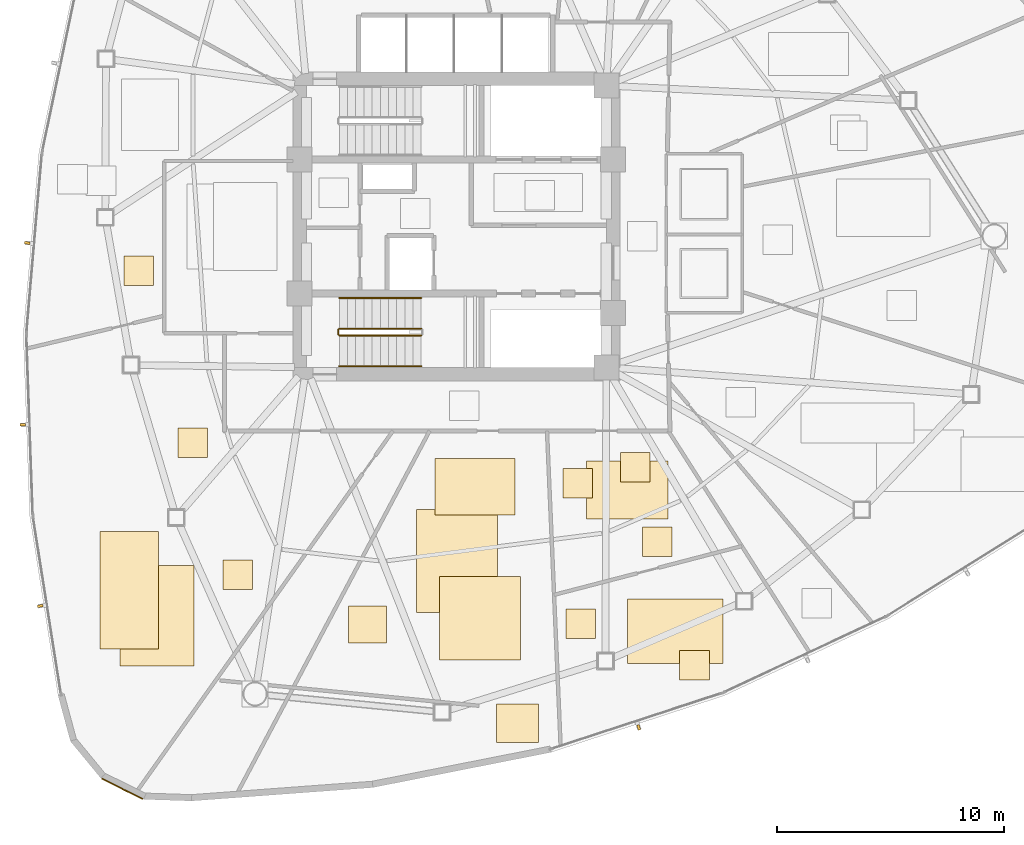
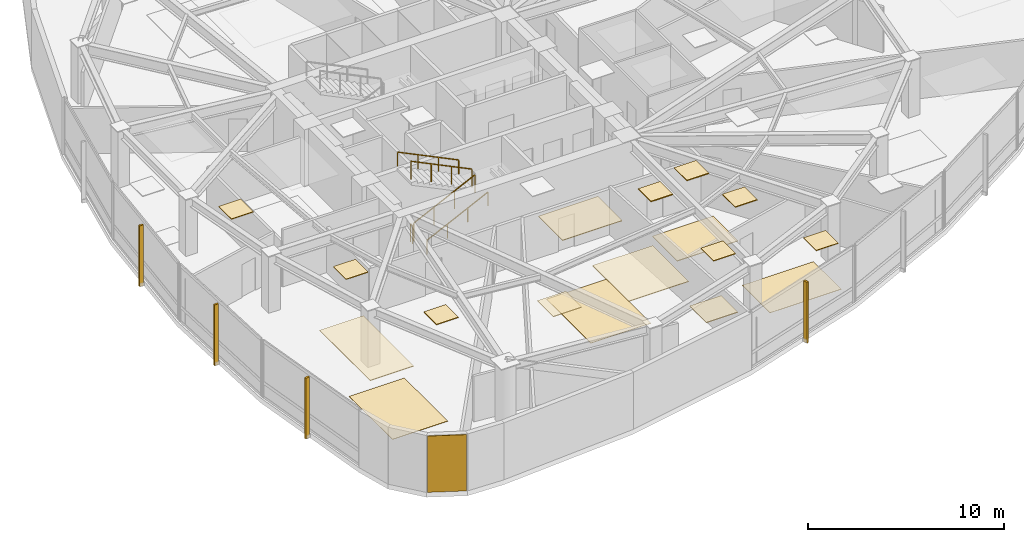
# One storey, part 14 of 17: 18 coverings, 5 railings, 4 shading devices.
"""IFC4 building model written with IfcOpenShell, lengths in metres."""

from ifc_helpers import new_model, si_unit, direction, frame, origin, origin_2d, place, context, subcontext, project, spatial, polyline, rectangle, outline, extrude, source, transform, mapped, material, layer, layer_set, type_object, type_shapes, element, save


model = new_model("IFC4")

# Units and contexts
model_context = context("Model", 3, precision=1e-05, world=origin(), true_north=direction((0.0, 1.0)))
body_context = subcontext(model_context, "Body", "Model", "MODEL_VIEW")
ifc_project = project(units=[si_unit("LENGTHUNIT", "METRE"), si_unit("AREAUNIT", "SQUARE_METRE"), si_unit("VOLUMEUNIT", "CUBIC_METRE"), si_unit("PLANEANGLEUNIT", "RADIAN"), si_unit("MASSUNIT", "GRAM", prefix="KILO")], contexts=[model_context])

# Site, building, storey
site_placement = place(None, origin())
site = spatial("IfcSite", under=ifc_project, at=site_placement, CompositionType="ELEMENT")
building_placement = place(site_placement, origin())
building = spatial("IfcBuilding", under=site, at=building_placement, Name="Tavelor Broadcast Tower", CompositionType="ELEMENT")
storey_placement = place(building_placement, frame((0.0, 0.0, 123.300048828125)))
storey = spatial("IfcBuildingStorey", under=building, at=storey_placement, Name="L28", CompositionType="ELEMENT", Elevation=123.300048828125)

# Covering
ifc_material_1 = material(Name="Copper-Bronze Anodized Aluminium", Category="aluminium")
ifc_layer_1 = layer(ifc_material_1, 0.050048828125)
ifc_layer_set_1 = layer_set([ifc_layer_1], Name="Copper-Bronze Anodized Aluminium")
covering_type_1 = type_object("IfcCoveringType", Name="Champagne-Bronze Corner Pier Metal Cladding 50 mm", PredefinedType="CLADDING", material=ifc_layer_set_1)
covering_1_placement = place(storey_placement, frame((35.293212890625, 20.247802734375, 0.02001953125), z_axis=(0.0, 0.0, 1.0), x_axis=(0.896872741533, -0.442288690219, 0.0)))
element("IfcCovering", 1, at=covering_1_placement, inside=storey, type_object=covering_type_1, Name="L28 Champagne-Bronze Corner Cladding 13", PredefinedType="CLADDING", context=body_context, shape_type="SweptSolid", body=[
    extrude(rectangle(XDim=2.002685546875, YDim=0.050048828125, at=origin_2d()), origin(), (0.0, 0.0, 1.0), 3.510009765625),
])

# Railings
ifc_material_2 = material(Name="Steel S355", Category="steel")
railing_type_1 = type_object("IfcRailingType", Name="Continuous Brushed Stainless Handrail 900 mm", PredefinedType="HANDRAIL", material=ifc_material_2)
railing_1_placement = place(storey_placement, frame((44.85009765625, 38.85009765625, 0.175048828125)))
element("IfcRailing", 2, at=railing_1_placement, inside=storey, type_object=railing_type_1, Name="L28 ST2 stair handrail 1", PredefinedType="HANDRAIL", context=body_context, shape_type="SweptSolid", body=[
    extrude(rectangle(XDim=0.048095703125, YDim=0.048095703125, at=origin_2d()), frame((0.0, 0.0, 0.8759765625), z_axis=(0.899360859046, 0.0, 0.437207096483), x_axis=(0.0, 1.0, 0.0)), (0.0, 0.0, 1.0), 4.002685546875),
    extrude(rectangle(XDim=0.0419921875, YDim=0.0419921875, at=origin_2d()), origin(), (0.0, 0.0, 1.0), 0.851806640625),
    extrude(rectangle(XDim=0.0419921875, YDim=0.0419921875, at=origin_2d()), frame((1.199951171875, 0.0, 0.583251953125)), (0.0, 0.0, 1.0), 0.851806640625),
    extrude(rectangle(XDim=0.0419921875, YDim=0.0419921875, at=origin_2d()), frame((2.39990234375, 0.0, 1.166748046875)), (0.0, 0.0, 1.0), 0.851806640625),
    extrude(rectangle(XDim=0.0419921875, YDim=0.0419921875, at=origin_2d()), frame((3.599853515625, 0.0, 1.75)), (0.0, 0.0, 1.0), 0.851806640625),
])
railing_2_placement = place(storey_placement, frame((48.449951171875, 41.85009765625, 2.099853515625)))
element("IfcRailing", 3, at=railing_2_placement, inside=storey, type_object=railing_type_1, Name="L28 ST2 stair handrail 2", PredefinedType="HANDRAIL", context=body_context, shape_type="SweptSolid", body=[
    extrude(rectangle(XDim=0.048095703125, YDim=0.048095703125, at=origin_2d()), frame((0.0, 0.0, 0.8759765625), z_axis=(-0.899360859046, 0.0, 0.437207096483), x_axis=(0.0, -1.0, 0.0)), (0.0, 0.0, 1.0), 4.002685546875),
    extrude(rectangle(XDim=0.0419921875, YDim=0.0419921875, at=origin_2d()), origin(), (0.0, 0.0, 1.0), 0.851806640625),
    extrude(rectangle(XDim=0.0419921875, YDim=0.0419921875, at=origin_2d()), frame((-1.199951171875, 0.0, 0.583251953125)), (0.0, 0.0, 1.0), 0.851806640625),
    extrude(rectangle(XDim=0.0419921875, YDim=0.0419921875, at=origin_2d()), frame((-2.39990234375, 0.0, 1.166748046875)), (0.0, 0.0, 1.0), 0.851806640625),
    extrude(rectangle(XDim=0.0419921875, YDim=0.0419921875, at=origin_2d()), frame((-3.599853515625, 0.0, 1.75)), (0.0, 0.0, 1.0), 0.851806640625),
])

# Coverings
ifc_material_3 = material(Name="Acoustic Nylon Carpet Tile")
ifc_layer_2 = layer(ifc_material_3, 0.02001953125)
ifc_layer_set_2 = layer_set([ifc_layer_2], Name="Acoustic Nylon Carpet Tile")
covering_type_2 = type_object("IfcCoveringType", Name="Heavy-Duty Acoustic Broadcast Carpet Tile 20 mm", PredefinedType="FLOORING", material=ifc_layer_set_2)
covering_2_placement = place(storey_placement, origin())
element("IfcCovering", 4, at=covering_2_placement, inside=storey, type_object=covering_type_2, Name="L28 Broadcast Floor Finish 0390", PredefinedType="FLOORING", context=body_context, shape_type="SweptSolid", body=[
    extrude(outline(polyline([(57.529052734375, 25.77001953125), (61.729736328125, 25.77001953125), (61.729736328125, 28.60595703125), (57.529052734375, 28.60595703125), (57.529052734375, 25.77001953125)])), origin(), (0.0, 0.0, 1.0), 0.02001953125),
])
covering_3_placement = place(storey_placement, origin())
element("IfcCovering", 5, at=covering_3_placement, inside=storey, type_object=covering_type_2, Name="L28 Broadcast Floor Finish 0391", PredefinedType="FLOORING", context=body_context, shape_type="SweptSolid", body=[
    extrude(outline(polyline([(48.252685546875, 28.010009765625), (51.806396484375, 28.010009765625), (51.806396484375, 32.543212890625), (48.252685546875, 32.543212890625), (48.252685546875, 28.010009765625)])), origin(), (0.0, 0.0, 1.0), 0.02001953125),
])
covering_4_placement = place(storey_placement, origin())
element("IfcCovering", 6, at=covering_4_placement, inside=storey, type_object=covering_type_2, Name="L28 Broadcast Floor Finish 0392", PredefinedType="FLOORING", context=body_context, shape_type="SweptSolid", body=[
    extrude(outline(polyline([(35.19189453125, 25.653076171875), (38.45361328125, 25.653076171875), (38.45361328125, 30.081298828125), (35.19189453125, 30.081298828125), (35.19189453125, 25.653076171875)])), origin(), (0.0, 0.0, 1.0), 0.02001953125),
])
ifc_material_4 = material(Name="Acoustic Hardwood Studio Flooring", Category="wood")
ifc_layer_3 = layer(ifc_material_4, 0.034912109375)
ifc_layer_set_3 = layer_set([ifc_layer_3], Name="Acoustic Hardwood Studio Flooring")
covering_type_3 = type_object("IfcCoveringType", Name="Isolated Studio Acoustic Elastomeric Floor Finish 35 mm", PredefinedType="FLOORING", material=ifc_layer_set_3)
covering_5_placement = place(storey_placement, origin())
element("IfcCovering", 7, at=covering_5_placement, inside=storey, type_object=covering_type_3, Name="L28 Broadcast Floor Finish 0399", PredefinedType="FLOORING", context=body_context, shape_type="SweptSolid", body=[
    extrude(outline(polyline([(55.726806640625, 32.12646484375), (59.306396484375, 32.12646484375), (59.306396484375, 34.672607421875), (55.726806640625, 34.672607421875), (55.726806640625, 32.12646484375)])), origin(), (0.0, 0.0, 1.0), 0.034912109375),
])
ifc_material_5 = material(Name="Acoustic Perforated Timber Baffle", Category="wood")
ifc_layer_4 = layer(ifc_material_5, 0.054931640625)
ifc_layer_set_4 = layer_set([ifc_layer_4], Name="Acoustic Perforated Timber Baffle")
covering_type_4 = type_object("IfcCoveringType", Name="Micro-Perforated Acoustic Baffle Studio Ceiling 55 mm", PredefinedType="CEILING", material=ifc_layer_set_4)
covering_6_placement = place(storey_placement, frame((0.0, 0.0, 3.494873046875)))
element("IfcCovering", 8, at=covering_6_placement, inside=storey, type_object=covering_type_4, Name="L28 Suspended Acoustic Ceiling 1135", PredefinedType="CEILING", context=body_context, shape_type="SweptSolid", body=[
    extrude(outline(polyline([(54.7001953125, 33.04443359375), (56.000244140625, 33.04443359375), (56.000244140625, 34.344482421875), (54.7001953125, 34.344482421875), (54.7001953125, 33.04443359375)])), origin(), (0.0, 0.0, 1.0), 0.05517578125),
])
covering_7_placement = place(storey_placement, frame((0.0, 0.0, 3.494873046875)))
element("IfcCovering", 9, at=covering_7_placement, inside=storey, type_object=covering_type_4, Name="L28 Suspended Acoustic Ceiling 1136", PredefinedType="CEILING", context=body_context, shape_type="SweptSolid", body=[
    extrude(outline(polyline([(57.224609375, 33.74560546875), (58.5244140625, 33.74560546875), (58.5244140625, 35.045654296875), (57.224609375, 35.045654296875), (57.224609375, 33.74560546875)])), origin(), (0.0, 0.0, 1.0), 0.05517578125),
])
covering_8_placement = place(storey_placement, frame((0.0, 0.0, 3.494873046875)))
element("IfcCovering", 10, at=covering_8_placement, inside=storey, type_object=covering_type_4, Name="L28 Suspended Acoustic Ceiling 1137", PredefinedType="CEILING", context=body_context, shape_type="SweptSolid", body=[
    extrude(outline(polyline([(58.18505859375, 30.469482421875), (59.485107421875, 30.469482421875), (59.485107421875, 31.76953125), (58.18505859375, 31.76953125), (58.18505859375, 30.469482421875)])), origin(), (0.0, 0.0, 1.0), 0.05517578125),
])

# Railings
railing_type_2 = type_object("IfcRailingType", Name="Stairwell Steel Safety Guardrail 1150 mm", PredefinedType="GUARDRAIL", material=ifc_material_2)
railing_3_placement = place(storey_placement, frame((44.85009765625, 40.199951171875, 0.175048828125)))
element("IfcRailing", 11, at=railing_3_placement, inside=storey, type_object=railing_type_2, Name="L28 ST2 stair guard 1", PredefinedType="GUARDRAIL", context=body_context, shape_type="SweptSolid", body=[
    extrude(rectangle(XDim=0.048095703125, YDim=0.048095703125, at=origin_2d()), frame((0.0, 0.0, 1.1259765625), z_axis=(0.899360859046, 0.0, 0.437207096483), x_axis=(0.0, 1.0, 0.0)), (0.0, 0.0, 1.0), 4.002685546875),
    extrude(rectangle(XDim=0.0419921875, YDim=0.0419921875, at=origin_2d()), origin(), (0.0, 0.0, 1.0), 1.101806640625),
    extrude(rectangle(XDim=0.0419921875, YDim=0.0419921875, at=origin_2d()), frame((1.199951171875, 0.0, 0.583251953125)), (0.0, 0.0, 1.0), 1.101806640625),
    extrude(rectangle(XDim=0.0419921875, YDim=0.0419921875, at=origin_2d()), frame((2.39990234375, 0.0, 1.166748046875)), (0.0, 0.0, 1.0), 1.101806640625),
    extrude(rectangle(XDim=0.0419921875, YDim=0.0419921875, at=origin_2d()), frame((3.599853515625, 0.0, 1.75)), (0.0, 0.0, 1.0), 1.101806640625),
])
railing_4_placement = place(storey_placement, frame((48.449951171875, 40.5, 2.099853515625)))
element("IfcRailing", 12, at=railing_4_placement, inside=storey, type_object=railing_type_2, Name="L28 ST2 stair guard 3", PredefinedType="GUARDRAIL", context=body_context, shape_type="SweptSolid", body=[
    extrude(rectangle(XDim=0.048095703125, YDim=0.048095703125, at=origin_2d()), frame((0.0, 0.0, 1.1259765625), z_axis=(-0.899360859046, 0.0, 0.437207096483), x_axis=(0.0, -1.0, 0.0)), (0.0, 0.0, 1.0), 4.002685546875),
    extrude(rectangle(XDim=0.0419921875, YDim=0.0419921875, at=origin_2d()), origin(), (0.0, 0.0, 1.0), 1.101806640625),
    extrude(rectangle(XDim=0.0419921875, YDim=0.0419921875, at=origin_2d()), frame((-1.199951171875, 0.0, 0.583251953125)), (0.0, 0.0, 1.0), 1.101806640625),
    extrude(rectangle(XDim=0.0419921875, YDim=0.0419921875, at=origin_2d()), frame((-2.39990234375, 0.0, 1.166748046875)), (0.0, 0.0, 1.0), 1.101806640625),
    extrude(rectangle(XDim=0.0419921875, YDim=0.0419921875, at=origin_2d()), frame((-3.599853515625, 0.0, 1.75)), (0.0, 0.0, 1.0), 1.101806640625),
])
railing_5_placement = place(storey_placement, frame((44.800048828125, 40.25, 0.0)))
element("IfcRailing", 13, at=railing_5_placement, inside=storey, type_object=railing_type_2, Name="L28 ST2 stair guard 4", PredefinedType="GUARDRAIL", context=body_context, shape_type="SweptSolid", body=[
    extrude(rectangle(XDim=0.048095703125, YDim=0.048095703125, at=origin_2d()), frame((0.0, 0.0, 1.1259765625), z_axis=(0.0, 1.0, 0.0), x_axis=(-1.0, 0.0, 0.0)), (0.0, 0.0, 1.0), 0.199951171875),
    extrude(rectangle(XDim=0.0419921875, YDim=0.0419921875, at=origin_2d()), origin(), (0.0, 0.0, 1.0), 1.101806640625),
    extrude(rectangle(XDim=0.0419921875, YDim=0.0419921875, at=origin_2d()), frame((0.0, 0.199951171875, 0.0)), (0.0, 0.0, 1.0), 1.101806640625),
])

# Coverings
ifc_material_6 = material(Name="Acoustic Mineral Fibre Tile")
ifc_layer_5 = layer(ifc_material_6, 0.0400390625)
ifc_layer_set_5 = layer_set([ifc_layer_5], Name="Acoustic Mineral Fibre Tile")
covering_type_5 = type_object("IfcCoveringType", Name="Suspended Acoustic Mineral-Fibre Office Ceiling 40 mm", PredefinedType="CEILING", material=ifc_layer_set_5)
covering_9_placement = place(storey_placement, frame((0.0, 0.0, 3.510009765625)))
element("IfcCovering", 14, at=covering_9_placement, inside=storey, type_object=covering_type_5, Name="L28 Suspended Acoustic Ceiling 1107", PredefinedType="CEILING", context=body_context, shape_type="SweptSolid", body=[
    extrude(outline(polyline([(59.83154296875, 25.038330078125), (61.131591796875, 25.038330078125), (61.131591796875, 26.33837890625), (59.83154296875, 26.33837890625), (59.83154296875, 25.038330078125)])), origin(), (0.0, 0.0, 1.0), 0.0400390625),
])
covering_10_placement = place(storey_placement, frame((0.0, 0.0, 3.510009765625)))
element("IfcCovering", 15, at=covering_10_placement, inside=storey, type_object=covering_type_5, Name="L28 Suspended Acoustic Ceiling 1108", PredefinedType="CEILING", context=body_context, shape_type="SweptSolid", body=[
    extrude(outline(polyline([(54.824462890625, 26.8642578125), (56.12451171875, 26.8642578125), (56.12451171875, 28.164306640625), (54.824462890625, 28.164306640625), (54.824462890625, 26.8642578125)])), origin(), (0.0, 0.0, 1.0), 0.0400390625),
])
covering_11_placement = place(storey_placement, frame((0.0, 0.0, 3.510009765625)))
element("IfcCovering", 16, at=covering_11_placement, inside=storey, type_object=covering_type_5, Name="L28 Suspended Acoustic Ceiling 1109", PredefinedType="CEILING", context=body_context, shape_type="SweptSolid", body=[
    extrude(outline(polyline([(49.260986328125, 25.912353515625), (52.815185546875, 25.912353515625), (52.815185546875, 29.590576171875), (49.260986328125, 29.590576171875), (49.260986328125, 25.912353515625)])), origin(), (0.0, 0.0, 1.0), 0.0400390625),
])
covering_12_placement = place(storey_placement, frame((0.0, 0.0, 3.510009765625)))
element("IfcCovering", 17, at=covering_12_placement, inside=storey, type_object=covering_type_5, Name="L28 Suspended Acoustic Ceiling 1110", PredefinedType="CEILING", context=body_context, shape_type="SweptSolid", body=[
    extrude(outline(polyline([(45.253662109375, 26.6552734375), (46.93310546875, 26.6552734375), (46.93310546875, 28.291259765625), (45.253662109375, 28.291259765625), (45.253662109375, 26.6552734375)])), origin(), (0.0, 0.0, 1.0), 0.0400390625),
])
covering_13_placement = place(storey_placement, frame((0.0, 0.0, 3.510009765625)))
element("IfcCovering", 18, at=covering_13_placement, inside=storey, type_object=covering_type_5, Name="L28 Suspended Acoustic Ceiling 1111", PredefinedType="CEILING", context=body_context, shape_type="SweptSolid", body=[
    extrude(outline(polyline([(49.0654296875, 32.30029296875), (52.574951171875, 32.30029296875), (52.574951171875, 34.779052734375), (49.0654296875, 34.779052734375), (49.0654296875, 32.30029296875)])), origin(), (0.0, 0.0, 1.0), 0.0400390625),
])
covering_14_placement = place(storey_placement, frame((0.0, 0.0, 3.510009765625)))
element("IfcCovering", 19, at=covering_14_placement, inside=storey, type_object=covering_type_5, Name="L28 Suspended Acoustic Ceiling 1112", PredefinedType="CEILING", context=body_context, shape_type="SweptSolid", body=[
    extrude(outline(polyline([(51.76220703125, 22.288818359375), (53.614990234375, 22.288818359375), (53.614990234375, 23.989013671875), (51.76220703125, 23.989013671875), (51.76220703125, 22.288818359375)])), origin(), (0.0, 0.0, 1.0), 0.0400390625),
])
covering_15_placement = place(storey_placement, frame((0.0, 0.0, 3.510009765625)))
element("IfcCovering", 20, at=covering_15_placement, inside=storey, type_object=covering_type_5, Name="L28 Suspended Acoustic Ceiling 1113", PredefinedType="CEILING", context=body_context, shape_type="SweptSolid", body=[
    extrude(outline(polyline([(34.310302734375, 26.406982421875), (36.88671875, 26.406982421875), (36.88671875, 31.569580078125), (34.310302734375, 31.569580078125), (34.310302734375, 26.406982421875)])), origin(), (0.0, 0.0, 1.0), 0.0400390625),
])
covering_16_placement = place(storey_placement, frame((0.0, 0.0, 3.510009765625)))
element("IfcCovering", 21, at=covering_16_placement, inside=storey, type_object=covering_type_5, Name="L28 Suspended Acoustic Ceiling 1114", PredefinedType="CEILING", context=body_context, shape_type="SweptSolid", body=[
    extrude(outline(polyline([(37.751220703125, 34.8251953125), (39.051025390625, 34.8251953125), (39.051025390625, 36.125244140625), (37.751220703125, 36.125244140625), (37.751220703125, 34.8251953125)])), origin(), (0.0, 0.0, 1.0), 0.0400390625),
])
covering_17_placement = place(storey_placement, frame((0.0, 0.0, 3.510009765625)))
element("IfcCovering", 22, at=covering_17_placement, inside=storey, type_object=covering_type_5, Name="L28 Suspended Acoustic Ceiling 1115", PredefinedType="CEILING", context=body_context, shape_type="SweptSolid", body=[
    extrude(outline(polyline([(39.73681640625, 29.0263671875), (41.036865234375, 29.0263671875), (41.036865234375, 30.326416015625), (39.73681640625, 30.326416015625), (39.73681640625, 29.0263671875)])), origin(), (0.0, 0.0, 1.0), 0.0400390625),
])
covering_18_placement = place(storey_placement, frame((0.0, 0.0, 3.510009765625)))
element("IfcCovering", 23, at=covering_18_placement, inside=storey, type_object=covering_type_5, Name="L28 Suspended Acoustic Ceiling 1118", PredefinedType="CEILING", context=body_context, shape_type="SweptSolid", body=[
    extrude(outline(polyline([(35.364013671875, 42.396484375), (36.6640625, 42.396484375), (36.6640625, 43.696533203125), (35.364013671875, 43.696533203125), (35.364013671875, 42.396484375)])), origin(), (0.0, 0.0, 1.0), 0.0400390625),
])

# Shading devices
ifc_material_7 = material(Name="Kiln-Fired Glazed Terracotta", Category="masonry")
shading_device_type = type_object("IfcShadingDeviceType", Name="Extruded Terracotta Baguette Sun-Screen 110x240", PredefinedType="JALOUSIE", material=ifc_material_7)
shared_shape = source(origin(), body_context, "Body", "SweptSolid", [
    extrude(rectangle(XDim=0.110107421875, YDim=0.239990234375, at=origin_2d()), origin(), (0.0, 0.0, 1.0), 3.7900390625),
])
type_shapes(shading_device_type, [shared_shape])
for number, where, z_axis, x_axis, name in (
    (24, (31.11669921875, 44.272216796875, -0.260009765625), (0.0, 0.0, 1.0), (-0.085938596582, -0.99630043542, 0.0), "L28 Terracotta Baguette Fin 266"),
    (25, (30.914306640625, 36.26611328125, -0.260009765625), (0.0, 0.0, 1.0), (0.035422771708, -0.999372416692, 0.0), "L28 Terracotta Baguette Fin 267"),
    (26, (31.681884765625, 28.294189453125, -0.260009765625), (0.0, 0.0, 1.0), (0.156089687246, -0.98774288635, 0.0), "L28 Terracotta Baguette Fin 268"),
    (27, (58.025390625, 22.944580078125, -0.260009765625), (0.0, 0.0, 1.0), (0.950352931542, 0.311174075894, 0.0), "L28 Terracotta Baguette Fin 269"),
):
    element("IfcShadingDevice", number, at=place(storey_placement, frame(where, z_axis=z_axis, x_axis=x_axis)), inside=storey, type_object=shading_device_type, Name=name, PredefinedType="JALOUSIE", context=body_context, shape_type="MappedRepresentation", body=[
        mapped(shared_shape, transform((0.0, 0.0, 0.0), scale=1.0)),
    ])

save(model, "model.ifc")
